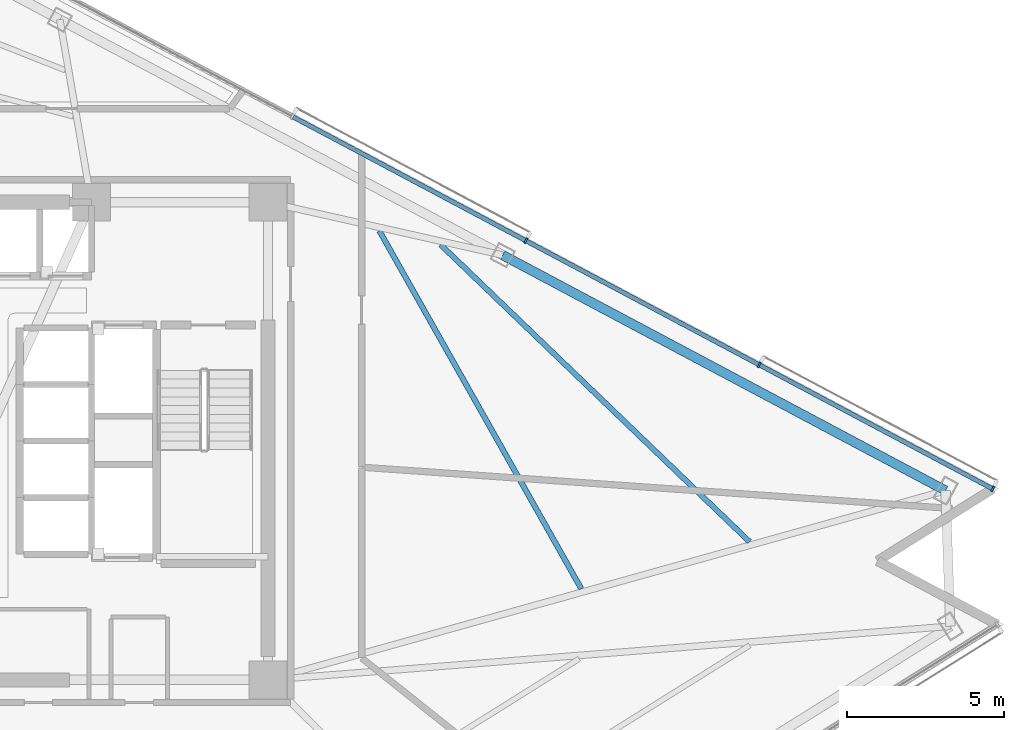
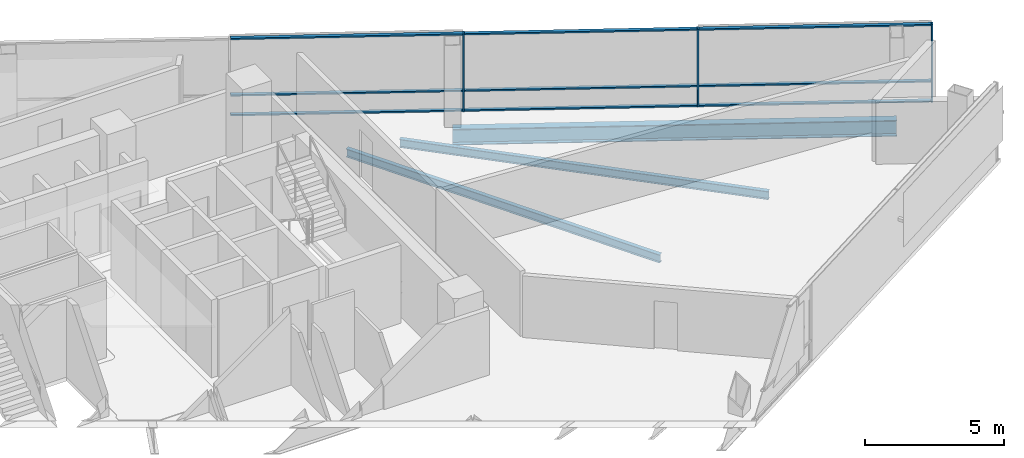
# One storey, part 10 of 21: 12 members, 3 beams, 1 element without a shape of its own.
"""IFC4 building model written with IfcOpenShell, lengths in metres."""

import ifcopenshell
import ifcopenshell.guid

model = None  # the IFC model being written
_history = None  # IfcOwnerHistory: only IFC2X3 demands one
_inside = {}  # id of a spatial element -> (the spatial element, [elements in it])
_under = {}  # id of a project, library or spatial element -> (it, [spatial elements below it])
_declared = {}  # id of a project -> (the project, [libraries it declares])
_typed = {}  # id of a type object -> (the type object, [elements of that type])
_made_of = {}  # id of a material, layer set ... -> (it, [elements and type objects made of it])


def new_model(schema):
    """Start an empty IFC model of exactly this schema.

    Asked for "IFC4X3", IfcOpenShell would pick the latest addendum, in which some entities
    have other attributes; the version numbers below select the first issue.
    IFC2X3 requires an IfcOwnerHistory on every rooted entity: one is made here for all.
    """
    global model, _history
    if schema == "IFC4X3":
        model = ifcopenshell.file(schema_version=(4, 3, 0, 0))
    else:
        model = ifcopenshell.file(schema=schema)
    _inside.clear()
    _under.clear()
    _declared.clear()
    _typed.clear()
    _made_of.clear()
    _history = None
    if model.schema == "IFC2X3":
        org = make("IfcOrganization", Name="unknown")
        user = make(
            "IfcPersonAndOrganization",
            ThePerson=make("IfcPerson", FamilyName="unknown"),
            TheOrganization=org,
        )
        app = make(
            "IfcApplication",
            ApplicationDeveloper=org,
            Version="unknown",
            ApplicationFullName="unknown",
            ApplicationIdentifier="unknown",
        )
        _history = make(
            "IfcOwnerHistory",
            OwningUser=user,
            OwningApplication=app,
            ChangeAction="ADDED",
            CreationDate=0,
        )
    return model


def make(cls, **values):
    """One entity of the class cls with the attributes given. An attribute that is None is left unset."""
    return model.create_entity(
        cls, **{name: value for name, value in values.items() if value is not None}
    )


def rooted(cls, **values):
    """An entity with a GlobalId (a new one), such as an element, a storey or a relation."""
    return make(cls, GlobalId=ifcopenshell.guid.new(), OwnerHistory=_history, **values)


def si_unit(unit_type, name, prefix=None):
    """IfcSIUnit, for example si_unit("LENGTHUNIT", "METRE", prefix="MILLI")."""
    return make("IfcSIUnit", UnitType=unit_type, Prefix=prefix, Name=name)


def assignment(units):
    """IfcUnitAssignment: the units of a project."""
    return None if units is None else make("IfcUnitAssignment", Units=units)


def point(xyz):
    """IfcCartesianPoint."""
    return None if xyz is None else make("IfcCartesianPoint", Coordinates=xyz)


def direction(xyz):
    """IfcDirection."""
    return None if xyz is None else make("IfcDirection", DirectionRatios=xyz)


def frame(location, z_axis=None, x_axis=None):
    """IfcAxis2Placement3D, a coordinate frame: its origin and axes. An axis left out is left unset."""
    return make(
        "IfcAxis2Placement3D",
        Location=point(location),
        Axis=direction(z_axis),
        RefDirection=direction(x_axis),
    )


def frame_2d(location, x_axis=None):
    """IfcAxis2Placement2D, a coordinate frame in the plane: its origin and x axis."""
    return make(
        "IfcAxis2Placement2D", Location=point(location), RefDirection=direction(x_axis)
    )


def origin():
    """The frame at (0, 0, 0) with its axes left unset."""
    return frame((0.0, 0.0, 0.0))


def origin_2d():
    """The frame at (0, 0) in the plane with its x axis left unset."""
    return frame_2d((0.0, 0.0))


def place(relative_to, where):
    """IfcLocalPlacement: puts the frame where relative to a parent placement (None: the world)."""
    return make(
        "IfcLocalPlacement", PlacementRelTo=relative_to, RelativePlacement=where
    )


def context(
    kind, dimensions, precision=None, world=None, true_north=None, identifier=None
):
    """IfcGeometricRepresentationContext, for example the 3D "Model" context."""
    return make(
        "IfcGeometricRepresentationContext",
        ContextIdentifier=identifier,
        ContextType=kind,
        CoordinateSpaceDimension=dimensions,
        Precision=precision,
        WorldCoordinateSystem=world,
        TrueNorth=true_north,
    )


def subcontext(parent, identifier, kind, view, scale=None):
    """IfcGeometricRepresentationSubContext, for example "Body" below "Model"."""
    return make(
        "IfcGeometricRepresentationSubContext",
        ContextIdentifier=identifier,
        ContextType=kind,
        ParentContext=parent,
        TargetScale=scale,
        TargetView=view,
    )


def project(units=None, contexts=None):
    """IfcProject with its units and contexts."""
    return rooted(
        "IfcProject",
        Name="project",
        RepresentationContexts=contexts,
        UnitsInContext=assignment(units),
    )


def spatial(cls, under=None, at=None, **own):
    """A site, building, storey or space (cls), placed at a placement, below another one or the project."""
    s = rooted(cls, ObjectPlacement=at, **own)
    if under is not None:
        _under.setdefault(under.id(), (under, []))[1].append(s)
    return s


def profile(cls, at=None, kind="AREA", **sizes):
    """A parametric profile (cls). Its sizes go by their IFC names, for example OverallWidth=200.0."""
    return make(cls, ProfileType=kind, Position=at, **sizes)


def rectangle(**sizes):
    """IfcRectangleProfileDef."""
    return profile("IfcRectangleProfileDef", **sizes)


def i_section(**sizes):
    """IfcIShapeProfileDef."""
    return profile("IfcIShapeProfileDef", **sizes)


def extrude(swept, where, along, depth):
    """IfcExtrudedAreaSolid: the profile swept, set in the frame where, extruded along a direction by depth."""
    return make(
        "IfcExtrudedAreaSolid",
        SweptArea=swept,
        Position=where,
        ExtrudedDirection=direction(along),
        Depth=depth,
    )


def shape(context_of_items, identifier, shape_type, items):
    """IfcShapeRepresentation: the items that make up one representation, for example the "Body"."""
    return make(
        "IfcShapeRepresentation",
        ContextOfItems=context_of_items,
        RepresentationIdentifier=identifier,
        RepresentationType=shape_type,
        Items=items,
    )


def material(Name=None, Category=None):
    """IfcMaterial."""
    return make("IfcMaterial", Name=Name, Category=Category)


def layer(
    of_material, thickness, ventilated=None, Name=None, Category=None, Priority=None
):
    """IfcMaterialLayer: one layer of a wall or slab, of a material (None: an air gap)."""
    return make(
        "IfcMaterialLayer",
        Material=of_material,
        LayerThickness=thickness,
        IsVentilated=ventilated,
        Name=Name,
        Category=Category,
        Priority=Priority,
    )


def layer_set(layers, Name=None):
    """IfcMaterialLayerSet."""
    return make("IfcMaterialLayerSet", MaterialLayers=layers, LayerSetName=Name)


def material_profile(
    of_material, cross_section, Name=None, Category=None, Priority=None
):
    """IfcMaterialProfile: a cross section and its material."""
    return make(
        "IfcMaterialProfile",
        Name=Name,
        Material=of_material,
        Profile=cross_section,
        Priority=Priority,
        Category=Category,
    )


def profile_set(profiles, Name=None, composite=None):
    """IfcMaterialProfileSet."""
    return make(
        "IfcMaterialProfileSet",
        Name=Name,
        MaterialProfiles=profiles,
        CompositeProfile=composite,
    )


def made_of(thing, what):
    """Note that an element or type object is made of a material, layer set ...; save() writes the relation."""
    if what is not None:
        _made_of.setdefault(what.id(), (what, []))[1].append(thing)
    return thing


def type_object(cls, material=None, **own):
    """A type object (cls), such as IfcWallType, which elements share."""
    return made_of(rooted(cls, **own), material)


def element(
    cls,
    number,
    at=None,
    inside=None,
    cuts=None,
    type_object=None,
    material=None,
    context=None,
    identifier="Body",
    shape_type=None,
    held_by="IfcProductDefinitionShape",
    body=None,
    shapes=None,
    **own,
):
    """One element of the class cls, such as IfcWall. Its Tag is "e" and its number.

    at: its placement. inside: the storey or other place that contains it. cuts: it is an
    opening in that element (IfcRelVoidsElement). A single representation is given by context,
    identifier, shape_type and body (its items); several are given by shapes. held_by: the class
    of the entity that holds the representations. save() writes the other relations.
    """
    e = rooted(cls, Tag="e%d" % number, ObjectPlacement=at, **own)
    if body is not None:
        shapes = [shape(context, identifier, shape_type, body)]
    if shapes is not None:
        e.Representation = make(held_by, Representations=shapes)
    if inside is not None:
        _inside.setdefault(inside.id(), (inside, []))[1].append(e)
    if cuts is not None:
        rooted(
            "IfcRelVoidsElement", RelatingBuildingElement=cuts, RelatedOpeningElement=e
        )
    if type_object is not None:
        _typed.setdefault(type_object.id(), (type_object, []))[1].append(e)
    return made_of(e, material)


def aggregate(whole, parts):
    """IfcRelAggregates: a whole, such as a stair, and the parts it consists of."""
    return rooted("IfcRelAggregates", RelatingObject=whole, RelatedObjects=parts)


def save(model, path):
    """Write the relations noted so far, then the file.

    IfcRelAggregates (storeys below a building ...), IfcRelContainedInSpatialStructure (elements
    in a storey), IfcRelDefinesByType, IfcRelAssociatesMaterial and IfcRelDeclares: one each for
    every whole, place, type object, material and project.
    """
    for whole, parts in _under.values():
        aggregate(whole, parts)
    for where, things in _inside.values():
        rooted(
            "IfcRelContainedInSpatialStructure",
            RelatedElements=things,
            RelatingStructure=where,
        )
    for kind, things in _typed.values():
        rooted("IfcRelDefinesByType", RelatedObjects=things, RelatingType=kind)
    for what, things in _made_of.values():
        rooted("IfcRelAssociatesMaterial", RelatedObjects=things, RelatingMaterial=what)
    for by, libraries in _declared.values():
        rooted("IfcRelDeclares", RelatingContext=by, RelatedDefinitions=libraries)
    model.write(path)


model = new_model("IFC4")

# Units and contexts
model_context = context("Model", 3, precision=1e-05, world=origin(), true_north=direction((0.0, 1.0)))
body_context = subcontext(model_context, "Body", "Model", "MODEL_VIEW")
ifc_project = project(units=[si_unit("LENGTHUNIT", "METRE"), si_unit("AREAUNIT", "SQUARE_METRE"), si_unit("VOLUMEUNIT", "CUBIC_METRE"), si_unit("PLANEANGLEUNIT", "RADIAN"), si_unit("MASSUNIT", "GRAM", prefix="KILO")], contexts=[model_context])

# Site, building, storey
site_placement = place(None, origin())
site = spatial("IfcSite", under=ifc_project, at=site_placement, CompositionType="ELEMENT")
building_placement = place(site_placement, origin())
building = spatial("IfcBuilding", under=site, at=building_placement, Name="Tharavind Bronze Gate", CompositionType="ELEMENT")
storey_placement = place(building_placement, frame((0.0, 0.0, 156.800048828125)))
storey = spatial("IfcBuildingStorey", under=building, at=storey_placement, Name="L40", CompositionType="ELEMENT", Elevation=156.800048828125)

# Curtain wall, members
ifc_material_1 = material(Name="Anodised Bronze Aluminium", Category="aluminium")
ifc_layer = layer(ifc_material_1, 0.219970703125)
ifc_layer_set = layer_set([ifc_layer], Name="Anodised Bronze Aluminium")
curtain_wall_type = type_object("IfcCurtainWallType", Name="UNITISED CURTAIN WALL MID OFFICE", PredefinedType="USERDEFINED", material=ifc_layer_set)
curtain_wall_placement = place(storey_placement, origin())
curtain_wall = element("IfcCurtainWall", 1, at=curtain_wall_placement, inside=storey, type_object=curtain_wall_type, Name="L40 unitised curtain wall mid office CW-L40-S3", ObjectType="UNITISED CURTAIN WALL", PredefinedType="USERDEFINED")
member_type_1 = type_object("IfcMemberType", Name="CURTAIN WALL BRONZE MULLION 65X180", PredefinedType="MULLION", material=ifc_material_1)
member_1_placement = place(storey_placement, frame((31.9638671875, -1.5224609375, 0.0), z_axis=(0.0, 0.0, 1.0), x_axis=(-0.882947592859, 0.469471562786, 0.0)))
member_1 = element("IfcMember", 2, at=member_1_placement, type_object=member_type_1, Name="CW-L40-S3 mullion 1", PredefinedType="MULLION", context=body_context, shape_type="SweptSolid", body=[
    extrude(rectangle(XDim=0.06494140625, YDim=0.179931640625, at=origin_2d()), origin(), (0.0, 0.0, 1.0), 3.409912109375),
])
member_2_placement = place(storey_placement, frame((24.5341796875, 2.427978515625, 0.0), z_axis=(0.0, 0.0, 1.0), x_axis=(-0.882947592859, 0.469471562786, 0.0)))
member_2 = element("IfcMember", 3, at=member_2_placement, type_object=member_type_1, Name="CW-L40-S3 mullion 2", PredefinedType="MULLION", context=body_context, shape_type="SweptSolid", body=[
    extrude(rectangle(XDim=0.06494140625, YDim=0.179931640625, at=origin_2d()), origin(), (0.0, 0.0, 1.0), 3.409912109375),
])
member_3_placement = place(storey_placement, frame((17.1044921875, 6.37841796875, 0.0), z_axis=(0.0, 0.0, 1.0), x_axis=(-0.882947592859, 0.469471562786, 0.0)))
member_3 = element("IfcMember", 4, at=member_3_placement, type_object=member_type_1, Name="CW-L40-S3 mullion 3", PredefinedType="MULLION", context=body_context, shape_type="SweptSolid", body=[
    extrude(rectangle(XDim=0.06494140625, YDim=0.179931640625, at=origin_2d()), origin(), (0.0, 0.0, 1.0), 3.409912109375),
])
member_type_2 = type_object("IfcMemberType", Name="CURTAIN WALL BRONZE TRANSOM 65X140", PredefinedType="USERDEFINED", material=ifc_material_1)
member_4_placement = place(storey_placement, frame((28.2490234375, 0.45263671875, 0.0), z_axis=(0.0, 0.0, 1.0), x_axis=(-0.882947592859, 0.469471562786, 0.0)))
member_4 = element("IfcMember", 5, at=member_4_placement, type_object=member_type_2, Name="CW-L40-S3 transom TB1", ObjectType="TRANSOM", PredefinedType="USERDEFINED", context=body_context, shape_type="SweptSolid", body=[
    extrude(rectangle(XDim=8.361572265625, YDim=0.139892578125, at=origin_2d()), origin(), (0.0, 0.0, 1.0), 0.06494140625),
])
member_5_placement = place(storey_placement, frame((28.2490234375, 0.45263671875, 0.867431640625), z_axis=(0.0, 0.0, 1.0), x_axis=(-0.882947592859, 0.469471562786, 0.0)))
member_5 = element("IfcMember", 6, at=member_5_placement, type_object=member_type_2, Name="CW-L40-S3 transom TS1", ObjectType="TRANSOM", PredefinedType="USERDEFINED", context=body_context, shape_type="SweptSolid", body=[
    extrude(rectangle(XDim=8.361572265625, YDim=0.139892578125, at=origin_2d()), origin(), (0.0, 0.0, 1.0), 0.06494140625),
])
member_6_placement = place(storey_placement, frame((28.2490234375, 0.45263671875, 3.344970703125), z_axis=(0.0, 0.0, 1.0), x_axis=(-0.882947592859, 0.469471562786, 0.0)))
member_6 = element("IfcMember", 7, at=member_6_placement, type_object=member_type_2, Name="CW-L40-S3 transom TT1", ObjectType="TRANSOM", PredefinedType="USERDEFINED", context=body_context, shape_type="SweptSolid", body=[
    extrude(rectangle(XDim=8.361572265625, YDim=0.139892578125, at=origin_2d()), origin(), (0.0, 0.0, 1.0), 0.06494140625),
])
member_7_placement = place(storey_placement, frame((20.8193359375, 4.403076171875, 0.0), z_axis=(0.0, 0.0, 1.0), x_axis=(-0.882947592859, 0.469471562786, 0.0)))
member_7 = element("IfcMember", 8, at=member_7_placement, type_object=member_type_2, Name="CW-L40-S3 transom TB2", ObjectType="TRANSOM", PredefinedType="USERDEFINED", context=body_context, shape_type="SweptSolid", body=[
    extrude(rectangle(XDim=8.361572265625, YDim=0.139892578125, at=origin_2d()), origin(), (0.0, 0.0, 1.0), 0.06494140625),
])
member_8_placement = place(storey_placement, frame((20.8193359375, 4.403076171875, 0.867431640625), z_axis=(0.0, 0.0, 1.0), x_axis=(-0.882947592859, 0.469471562786, 0.0)))
member_8 = element("IfcMember", 9, at=member_8_placement, type_object=member_type_2, Name="CW-L40-S3 transom TS2", ObjectType="TRANSOM", PredefinedType="USERDEFINED", context=body_context, shape_type="SweptSolid", body=[
    extrude(rectangle(XDim=8.361572265625, YDim=0.139892578125, at=origin_2d()), origin(), (0.0, 0.0, 1.0), 0.06494140625),
])
member_9_placement = place(storey_placement, frame((20.8193359375, 4.403076171875, 3.344970703125), z_axis=(0.0, 0.0, 1.0), x_axis=(-0.882947592859, 0.469471562786, 0.0)))
member_9 = element("IfcMember", 10, at=member_9_placement, type_object=member_type_2, Name="CW-L40-S3 transom TT2", ObjectType="TRANSOM", PredefinedType="USERDEFINED", context=body_context, shape_type="SweptSolid", body=[
    extrude(rectangle(XDim=8.361572265625, YDim=0.139892578125, at=origin_2d()), origin(), (0.0, 0.0, 1.0), 0.06494140625),
])
member_10_placement = place(storey_placement, frame((13.389892578125, 8.353515625, 0.0), z_axis=(0.0, 0.0, 1.0), x_axis=(-0.882947592859, 0.469471562786, 0.0)))
member_10 = element("IfcMember", 11, at=member_10_placement, type_object=member_type_2, Name="CW-L40-S3 transom TB3", ObjectType="TRANSOM", PredefinedType="USERDEFINED", context=body_context, shape_type="SweptSolid", body=[
    extrude(rectangle(XDim=8.361572265625, YDim=0.139892578125, at=origin_2d()), origin(), (0.0, 0.0, 1.0), 0.06494140625),
])
member_11_placement = place(storey_placement, frame((13.389892578125, 8.353515625, 0.867431640625), z_axis=(0.0, 0.0, 1.0), x_axis=(-0.882947592859, 0.469471562786, 0.0)))
member_11 = element("IfcMember", 12, at=member_11_placement, type_object=member_type_2, Name="CW-L40-S3 transom TS3", ObjectType="TRANSOM", PredefinedType="USERDEFINED", context=body_context, shape_type="SweptSolid", body=[
    extrude(rectangle(XDim=8.361572265625, YDim=0.139892578125, at=origin_2d()), origin(), (0.0, 0.0, 1.0), 0.06494140625),
])
member_12_placement = place(storey_placement, frame((13.389892578125, 8.353515625, 3.344970703125), z_axis=(0.0, 0.0, 1.0), x_axis=(-0.882947592859, 0.469471562786, 0.0)))
member_12 = element("IfcMember", 13, at=member_12_placement, type_object=member_type_2, Name="CW-L40-S3 transom TT3", ObjectType="TRANSOM", PredefinedType="USERDEFINED", context=body_context, shape_type="SweptSolid", body=[
    extrude(rectangle(XDim=8.361572265625, YDim=0.139892578125, at=origin_2d()), origin(), (0.0, 0.0, 1.0), 0.06494140625),
])
aggregate(curtain_wall, [member_1, member_2, member_3, member_4, member_5, member_6, member_7, member_8, member_9, member_10, member_11, member_12])

# Beams
ifc_material_2 = material(Name="Steel S355", Category="steel")
ifc_material_profile_1 = material_profile(ifc_material_2, i_section(OverallWidth=0.300048828125, OverallDepth=0.699951171875, WebThickness=0.01708984375, FlangeThickness=0.031982421875, at=origin_2d()), Name="HE700B")
ifc_profile_set_1 = profile_set([ifc_material_profile_1], Name="Steel S355")
beam_type_1 = type_object("IfcBeamType", Name="RING GIRDER HE700B", PredefinedType="USERDEFINED", material=ifc_profile_set_1)
beam_1_placement = place(storey_placement, frame((30.46484375, -1.57470703125, -0.5400390625), z_axis=(-0.882951706672, 0.469463825747, 0.0), x_axis=(-0.469463825747, -0.882951706672, 0.0)))
element("IfcBeam", 14, at=beam_1_placement, inside=storey, type_object=beam_type_1, Name="L40 ring girder he700b BM-L40-PRG09", ObjectType="GIRDER", PredefinedType="USERDEFINED", context=body_context, shape_type="SweptSolid", body=[
    extrude(i_section(OverallWidth=0.300048828125, OverallDepth=0.699951171875, WebThickness=0.01708984375, FlangeThickness=0.031982421875, at=origin_2d()), origin(), (0.0, 0.0, 1.0), 15.963134765625),
])
ifc_material_profile_2 = material_profile(ifc_material_2, i_section(OverallWidth=0.169921875, OverallDepth=0.360107421875, WebThickness=0.008056640625, FlangeThickness=0.0126953125, at=origin_2d()), Name="IPE360")
ifc_profile_set_2 = profile_set([ifc_material_profile_2], Name="Steel S355")
beam_type_2 = type_object("IfcBeamType", Name="SECONDARY FLOOR JOIST IPE360", PredefinedType="JOIST", material=ifc_profile_set_2)
beam_2_placement = place(storey_placement, frame((18.87255859375, -4.70068359375, -0.3701171875), z_axis=(-0.491359669612, 0.870956758444, 0.0), x_axis=(-0.870956758444, -0.491359669612, 0.0)))
element("IfcBeam", 15, at=beam_2_placement, inside=storey, type_object=beam_type_2, Name="L40 secondary floor joist ipe360 BM-L40-JSTA09", PredefinedType="JOIST", context=body_context, shape_type="SweptSolid", body=[
    extrude(i_section(OverallWidth=0.169921875, OverallDepth=0.360107421875, WebThickness=0.008056640625, FlangeThickness=0.0126953125, at=origin_2d()), origin(), (0.0, 0.0, 1.0), 13.08056640625),
])
beam_3_placement = place(storey_placement, frame((24.22802734375, -3.20458984375, -0.3701171875), z_axis=(-0.720825502564, 0.693116580997, 0.0), x_axis=(-0.693116580997, -0.720825502564, 0.0)))
element("IfcBeam", 16, at=beam_3_placement, inside=storey, type_object=beam_type_2, Name="L40 secondary floor joist ipe360 BM-L40-JSTB09", PredefinedType="JOIST", context=body_context, shape_type="SweptSolid", body=[
    extrude(i_section(OverallWidth=0.169921875, OverallDepth=0.360107421875, WebThickness=0.008056640625, FlangeThickness=0.0126953125, at=origin_2d()), origin(), (0.0, 0.0, 1.0), 13.648193359375),
])

save(model, "model.ifc")
